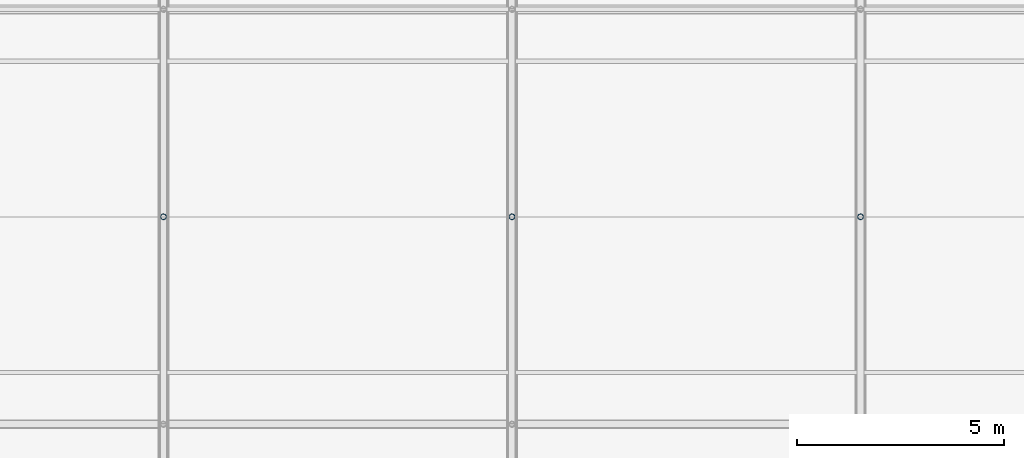
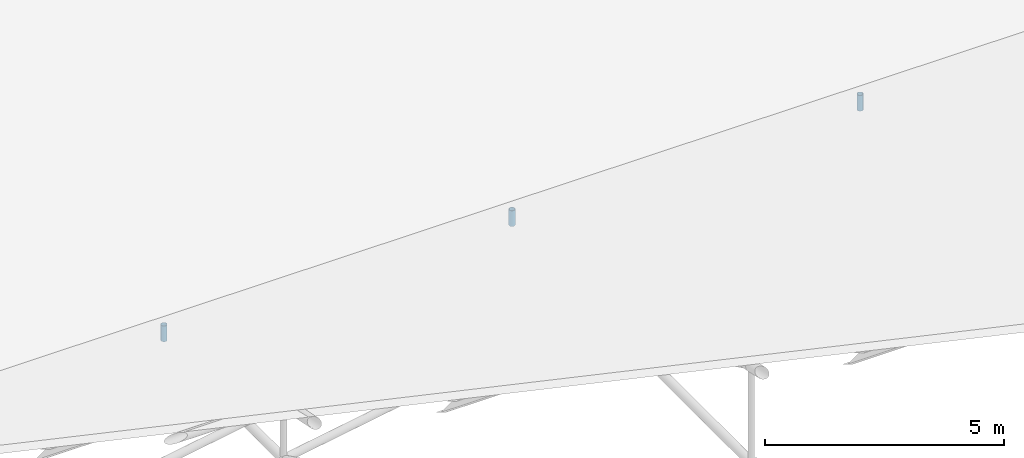
# One storey, part 144 of 194: 3 members.
"""IFC4 building model written with IfcOpenShell, lengths in metres."""

from ifc_helpers import new_model, si_unit, direction, frame, origin, origin_2d, place, context, subcontext, project, spatial, hollow_circle, extrude, material, material_profile, profile_set, type_object, element, save


model = new_model("IFC4")

# Units and contexts
model_context = context("Model", 3, precision=1e-05, world=origin(), true_north=direction((0.0, 1.0)))
body_context = subcontext(model_context, "Body", "Model", "MODEL_VIEW")
ifc_project = project(units=[si_unit("LENGTHUNIT", "METRE"), si_unit("AREAUNIT", "SQUARE_METRE"), si_unit("VOLUMEUNIT", "CUBIC_METRE"), si_unit("PLANEANGLEUNIT", "RADIAN"), si_unit("MASSUNIT", "GRAM", prefix="KILO")], contexts=[model_context])

# Site, building, storey
site_placement = place(None, origin())
site = spatial("IfcSite", under=ifc_project, at=site_placement, CompositionType="ELEMENT")
building_placement = place(site_placement, origin())
building = spatial("IfcBuilding", under=site, at=building_placement, Name="Kazenagashi Tramway Depot", CompositionType="ELEMENT")
storey_placement = place(building_placement, frame((0.0, 0.0, 23.7)))
storey = spatial("IfcBuildingStorey", under=building, at=storey_placement, Name="ROOF", CompositionType="ELEMENT", Elevation=23.7)

# Members
ifc_material = material(Name="Steel STK490", Category="steel")
ifc_material_profile = material_profile(ifc_material, hollow_circle(Radius=0.0699, WallThickness=0.0066, at=origin_2d()), Name="CHS-139.8x6.6")
ifc_profile_set = profile_set([ifc_material_profile], Name="Steel STK490")
member_type = type_object("IfcMemberType", Name="TS-02", PredefinedType="STRUT", material=ifc_profile_set)
for number, where, z_axis, x_axis, name in (
    (1, (154.0, 100.0, -14.1), (0.0, 0.0, 1.0), (1.0, 0.0, 0.0), "Tubular Space Frame TS-02 MEM-0818"),
    (2, (162.4, 100.0, -14.1), (0.0, 0.0, 1.0), (1.0, 0.0, 0.0), "Tubular Space Frame TS-02 MEM-0879"),
    (3, (170.8, 100.0, -14.1), (0.0, 0.0, 1.0), (1.0, 0.0, 0.0), "Tubular Space Frame TS-02 MEM-0940"),
):
    element("IfcMember", number, at=place(storey_placement, frame(where, z_axis=z_axis, x_axis=x_axis)), inside=storey, type_object=member_type, Name=name, PredefinedType="STRUT", context=body_context, shape_type="SweptSolid", body=[
        extrude(hollow_circle(Radius=0.0699, WallThickness=0.0066, at=origin_2d()), origin(), (0.0, 0.0, 1.0), 0.4),
    ])

save(model, "model.ifc")
